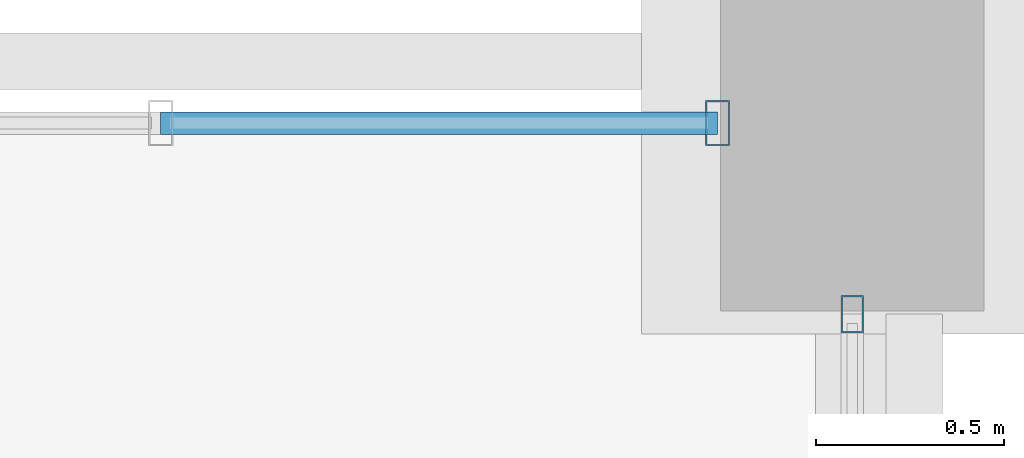
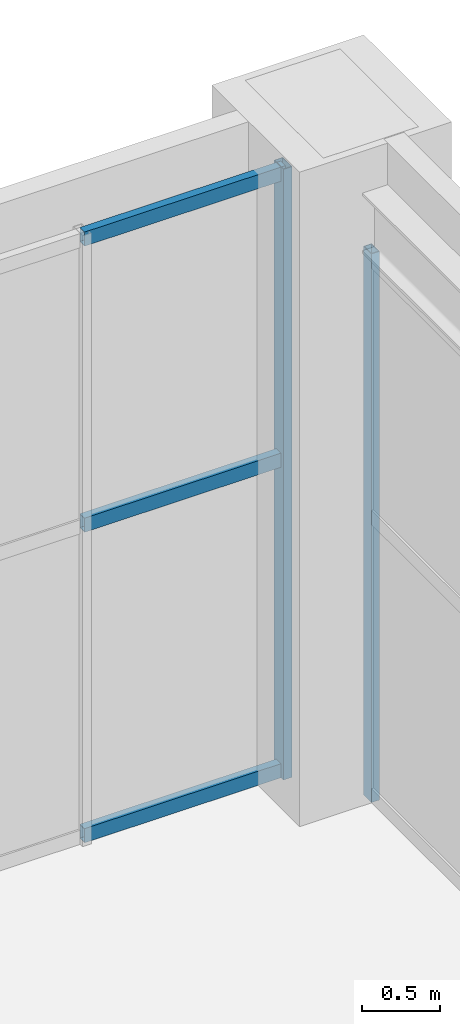
# One storey, part 118 of 174: 5 members, 2 elements without a shape of their own.
"""IFC4 building model written with IfcOpenShell, lengths in metres."""

from ifc_helpers import new_model, si_unit, direction, frame, origin, origin_2d, place, context, subcontext, project, spatial, hollow_rectangle, extrude, material, material_profile, profile_set, type_object, element, aggregate, save


model = new_model("IFC4")

# Units and contexts
model_context = context("Model", 3, precision=1e-05, world=origin(), true_north=direction((0.0, 1.0)))
body_context = subcontext(model_context, "Body", "Model", "MODEL_VIEW")
ifc_project = project(units=[si_unit("LENGTHUNIT", "METRE"), si_unit("AREAUNIT", "SQUARE_METRE"), si_unit("VOLUMEUNIT", "CUBIC_METRE"), si_unit("PLANEANGLEUNIT", "RADIAN"), si_unit("MASSUNIT", "GRAM", prefix="KILO")], contexts=[model_context])

# Site, building, storey
site_placement = place(None, origin())
site = spatial("IfcSite", under=ifc_project, at=site_placement, CompositionType="ELEMENT")
building_placement = place(site_placement, origin())
building = spatial("IfcBuilding", under=site, at=building_placement, Name="Mavantir Sound Aquarium", CompositionType="ELEMENT")
storey_placement = place(building_placement, frame((0.0, 0.0, 5.39990234375)))
storey = spatial("IfcBuildingStorey", under=building, at=storey_placement, Name="L01", CompositionType="ELEMENT", Elevation=5.39990234375)

# Curtain wall, member
ifc_material_1 = material(Name="Anodised Marine Aluminium and Low-E Glass", Category="aluminium")
curtain_wall_type_1 = type_object("IfcCurtainWallType", Name="CW-T09", PredefinedType="USERDEFINED", material=ifc_material_1)
curtain_wall_1_placement = place(storey_placement, origin())
curtain_wall_1 = element("IfcCurtainWall", 1, at=curtain_wall_1_placement, inside=storey, type_object=curtain_wall_type_1, Name="L01 unitised curtain wall CW-09 81", ObjectType="UNITISED GLAZING", PredefinedType="USERDEFINED")
ifc_material_2 = material(Name="Anodised Marine Aluminium 6063-T6", Category="aluminium")
ifc_material_profile_1 = material_profile(ifc_material_2, hollow_rectangle(XDim=0.06005859375, YDim=0.10009765625, WallThickness=0.00390625, at=origin_2d()), Name="ALU-MULLION-100X60")
ifc_profile_set_1 = profile_set([ifc_material_profile_1], Name="Anodised Marine Aluminium 6063-T6")
member_type_1 = type_object("IfcMemberType", Name="CW-MUL-100", PredefinedType="MULLION", material=ifc_profile_set_1)
member_1_placement = place(storey_placement, frame((146.39990234375, 80.092041015625, 0.0), z_axis=(0.0, 0.0, 1.0), x_axis=(1.0, 0.0, 0.0)))
member_1 = element("IfcMember", 2, at=member_1_placement, type_object=member_type_1, Name="CW-L01-081 vertical mullion 4", PredefinedType="MULLION", context=body_context, shape_type="SweptSolid", body=[
    extrude(hollow_rectangle(XDim=0.06005859375, YDim=0.10009765625, WallThickness=0.00390625, at=origin_2d()), origin(), (0.0, 0.0, 1.0), 4.277099609375),
])
aggregate(curtain_wall_1, [member_1])

# Curtain wall, members
curtain_wall_type_2 = type_object("IfcCurtainWallType", Name="CW-T10", PredefinedType="USERDEFINED", material=ifc_material_1)
curtain_wall_2_placement = place(storey_placement, origin())
curtain_wall_2 = element("IfcCurtainWall", 3, at=curtain_wall_2_placement, inside=storey, type_object=curtain_wall_type_2, Name="L01 unitised curtain wall CW-10 82", ObjectType="UNITISED GLAZING", PredefinedType="USERDEFINED")
ifc_material_profile_2 = material_profile(ifc_material_2, hollow_rectangle(XDim=0.06494140625, YDim=0.1201171875, WallThickness=0.00390625, at=origin_2d()), Name="ALU-MULLION-120X65")
ifc_profile_set_2 = profile_set([ifc_material_profile_2], Name="Anodised Marine Aluminium 6063-T6")
member_type_2 = type_object("IfcMemberType", Name="CW-MUL-120", PredefinedType="MULLION", material=ifc_profile_set_2)
member_2_placement = place(storey_placement, frame((146.0419921875, 80.60009765625, 0.0), z_axis=(0.0, 0.0, 1.0), x_axis=(1.0, 0.0, 0.0)))
member_2 = element("IfcMember", 4, at=member_2_placement, type_object=member_type_2, Name="CW-L01-082 vertical mullion 1", PredefinedType="MULLION", context=body_context, shape_type="SweptSolid", body=[
    extrude(hollow_rectangle(XDim=0.06494140625, YDim=0.1201171875, WallThickness=0.00390625, at=origin_2d()), origin(), (0.0, 0.0, 1.0), 4.760009765625),
])
ifc_material_profile_3 = material_profile(ifc_material_2, hollow_rectangle(XDim=0.06005859375, YDim=0.110107421875, WallThickness=0.00390625, at=origin_2d()), Name="ALU-TRANSOM-110X60")
ifc_profile_set_3 = profile_set([ifc_material_profile_3], Name="Anodised Marine Aluminium 6063-T6")
member_type_3 = type_object("IfcMemberType", Name="CW-TRN-110", PredefinedType="USERDEFINED", material=ifc_profile_set_3)
member_3_placement = place(storey_placement, frame((146.0419921875, 80.60009765625, 0.05517578125), z_axis=(-1.0, 0.0, 0.0), x_axis=(0.0, -1.0, 0.0)))
member_3 = element("IfcMember", 5, at=member_3_placement, type_object=member_type_3, Name="CW-L01-082 transom 1.1", ObjectType="TRANSOM", PredefinedType="USERDEFINED", context=body_context, shape_type="SweptSolid", body=[
    extrude(hollow_rectangle(XDim=0.06005859375, YDim=0.110107421875, WallThickness=0.00390625, at=origin_2d()), origin(), (0.0, 0.0, 1.0), 1.480712890625),
])
member_4_placement = place(storey_placement, frame((146.0419921875, 80.60009765625, 2.475341796875), z_axis=(-1.0, 0.0, 0.0), x_axis=(0.0, -1.0, 0.0)))
member_4 = element("IfcMember", 6, at=member_4_placement, type_object=member_type_3, Name="CW-L01-082 transom 1.2", ObjectType="TRANSOM", PredefinedType="USERDEFINED", context=body_context, shape_type="SweptSolid", body=[
    extrude(hollow_rectangle(XDim=0.06005859375, YDim=0.110107421875, WallThickness=0.00390625, at=origin_2d()), origin(), (0.0, 0.0, 1.0), 1.480712890625),
])
member_5_placement = place(storey_placement, frame((146.0419921875, 80.60009765625, 4.705078125), z_axis=(-1.0, 0.0, 0.0), x_axis=(0.0, -1.0, 0.0)))
member_5 = element("IfcMember", 7, at=member_5_placement, type_object=member_type_3, Name="CW-L01-082 transom 1.3", ObjectType="TRANSOM", PredefinedType="USERDEFINED", context=body_context, shape_type="SweptSolid", body=[
    extrude(hollow_rectangle(XDim=0.06005859375, YDim=0.110107421875, WallThickness=0.00390625, at=origin_2d()), origin(), (0.0, 0.0, 1.0), 1.480712890625),
])
aggregate(curtain_wall_2, [member_2, member_3, member_4, member_5])

save(model, "model.ifc")
